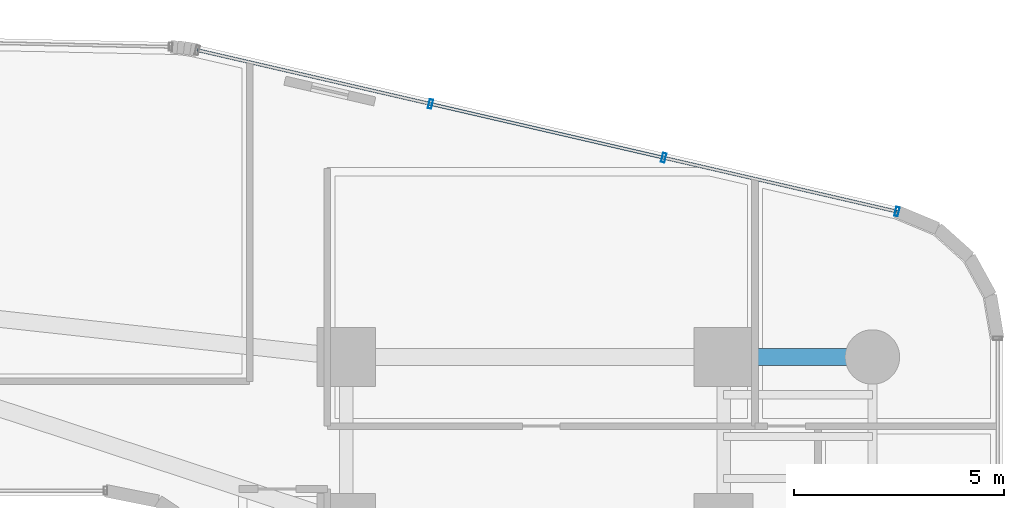
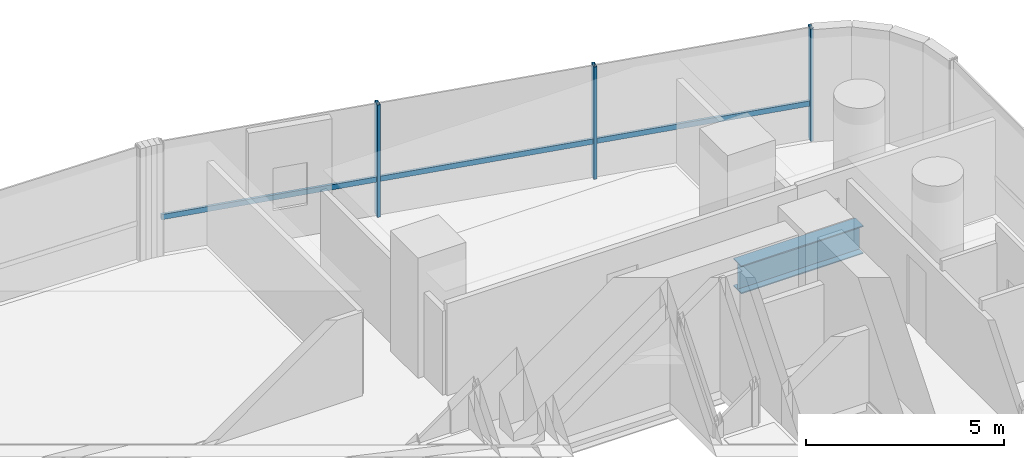
# One storey, part 23 of 39: 4 members, 1 beam, 1 element without a shape of its own.
"""IFC4 building model written with IfcOpenShell, lengths in metres."""

from ifc_helpers import new_model, si_unit, direction, frame, origin, origin_2d, place, context, subcontext, project, spatial, hollow_rectangle, i_section, extrude, source, transform, mapped, material, material_profile, profile_set, type_object, element, aggregate, save


model = new_model("IFC4")

# Units and contexts
model_context = context("Model", 3, precision=1e-05, world=origin(), true_north=direction((0.0, 1.0)))
body_context = subcontext(model_context, "Body", "Model", "MODEL_VIEW")
ifc_project = project(units=[si_unit("LENGTHUNIT", "METRE"), si_unit("AREAUNIT", "SQUARE_METRE"), si_unit("VOLUMEUNIT", "CUBIC_METRE"), si_unit("PLANEANGLEUNIT", "RADIAN"), si_unit("MASSUNIT", "GRAM", prefix="KILO")], contexts=[model_context])

# Site, building, storey
site_placement = place(None, origin())
site = spatial("IfcSite", under=ifc_project, at=site_placement, CompositionType="ELEMENT")
building_placement = place(site_placement, origin())
building = spatial("IfcBuilding", under=site, at=building_placement, Name="Valdorenza Pilgrim Sanctuary Tower", CompositionType="ELEMENT")
storey_placement = place(building_placement, frame((0.0, 0.0, 74.10009765625)))
storey = spatial("IfcBuildingStorey", under=building, at=storey_placement, Name="L18", CompositionType="ELEMENT", Elevation=74.10009765625)

# Beam
ifc_material_1 = material(Name="Steel ASTM A992 Grade 50", Category="steel")
ifc_material_profile_1 = material_profile(ifc_material_1, i_section(OverallWidth=0.39990234375, OverallDepth=0.862060546875, WebThickness=0.019775390625, FlangeThickness=0.032470703125, at=origin_2d()), Name="W33X221")
ifc_profile_set_1 = profile_set([ifc_material_profile_1], Name="Steel ASTM A992 Grade 50")
beam_type = type_object("IfcBeamType", Name="STR-BM-GRD-W33", PredefinedType="BEAM", material=ifc_profile_set_1)
shared_shape_1 = source(origin(), body_context, "Body", "SweptSolid", [
    extrude(i_section(OverallWidth=0.39990234375, OverallDepth=0.862060546875, WebThickness=0.019775390625, FlangeThickness=0.032470703125, at=origin_2d()), origin(), (0.0, 0.0, 1.0), 3.5498046875),
])
beam_placement = place(storey_placement, frame((24.85009765625, 13.5, -0.671142578125), z_axis=(1.0, 0.0, 0.0), x_axis=(0.0, 1.0, 0.0)))
element("IfcBeam", 1, at=beam_placement, inside=storey, type_object=beam_type, Name="L18 Floor Girder WB-XE-N2", PredefinedType="BEAM", context=body_context, shape_type="MappedRepresentation", body=[
    mapped(shared_shape_1, transform((0.0, 0.0, 0.0), x_axis=(1.0, 0.0, 0.0), y_axis=(0.0, 1.0, 0.0), z_axis=(0.0, 0.0, 1.0), scale=1.0)),
])

# Curtain wall, members
ifc_material_2 = material(Name="Curtain-wall IGU glazing", Category="glass")
curtain_wall_type = type_object("IfcCurtainWallType", Name="CW-SYS-03", PredefinedType="NOTDEFINED", material=ifc_material_2)
curtain_wall_placement = place(storey_placement, origin())
curtain_wall = element("IfcCurtainWall", 2, at=curtain_wall_placement, inside=storey, type_object=curtain_wall_type, Name="L18 Curtain Wall CW-L18-1-16", PredefinedType="NOTDEFINED")
ifc_material_3 = material(Name="Anodised aluminium AW-6060", Category="aluminium")
ifc_material_profile_2 = material_profile(ifc_material_3, hollow_rectangle(XDim=0.0849609375, YDim=0.219970703125, WallThickness=0.0048828125, at=origin_2d()), Name="ALU-M 220x85x5")
ifc_profile_set_2 = profile_set([ifc_material_profile_2], Name="Anodised aluminium AW-6060")
member_type_1 = type_object("IfcMemberType", Name="CW-MUL-03", PredefinedType="MULLION", material=ifc_profile_set_2)
shared_shape_2 = source(origin(), body_context, "Body", "SweptSolid", [
    extrude(hollow_rectangle(XDim=0.0849609375, YDim=0.219970703125, WallThickness=0.0048828125, at=origin_2d()), origin(), (0.0, 0.0, 1.0), 3.4599609375),
])
member_1_placement = place(storey_placement, frame((17.861328125, 19.534423828125, 0.0), z_axis=(0.0, 0.0, 1.0), x_axis=(0.974389691758, -0.224866023659, 0.0)))
member_1 = element("IfcMember", 3, at=member_1_placement, type_object=member_type_1, Name="CW-L18-1-16 Mullion 2", PredefinedType="MULLION", context=body_context, shape_type="MappedRepresentation", body=[
    mapped(shared_shape_2, transform((0.0, 0.0, 0.0), x_axis=(1.0, 0.0, 0.0), y_axis=(0.0, 1.0, 0.0), z_axis=(0.0, 0.0, 1.0), scale=1.0)),
])
member_2_placement = place(storey_placement, frame((23.423583984375, 18.2509765625, 0.0), z_axis=(0.0, 0.0, 1.0), x_axis=(0.974389691758, -0.224866023659, 0.0)))
member_2 = element("IfcMember", 4, at=member_2_placement, type_object=member_type_1, Name="CW-L18-1-16 Mullion 3", PredefinedType="MULLION", context=body_context, shape_type="MappedRepresentation", body=[
    mapped(shared_shape_2, transform((0.0, 0.0, 0.0), x_axis=(1.0, 0.0, 0.0), y_axis=(0.0, 1.0, 0.0), z_axis=(0.0, 0.0, 1.0), scale=1.0)),
])
member_3_placement = place(storey_placement, frame((28.98583984375, 16.96728515625, 0.0), z_axis=(0.0, 0.0, 1.0), x_axis=(0.974389691758, -0.224866023659, 0.0)))
member_3 = element("IfcMember", 5, at=member_3_placement, type_object=member_type_1, Name="CW-L18-1-16 Mullion 4", PredefinedType="MULLION", context=body_context, shape_type="MappedRepresentation", body=[
    mapped(shared_shape_2, transform((0.0, 0.0, 0.0), x_axis=(1.0, 0.0, 0.0), y_axis=(0.0, 1.0, 0.0), z_axis=(0.0, 0.0, 1.0), scale=1.0)),
])
ifc_material_profile_3 = material_profile(ifc_material_3, hollow_rectangle(XDim=0.074951171875, YDim=0.159912109375, WallThickness=0.00390625, at=origin_2d()), Name="ALU-T 160x75x4")
ifc_profile_set_3 = profile_set([ifc_material_profile_3], Name="Anodised aluminium AW-6060")
member_type_2 = type_object("IfcMemberType", Name="CW-TRN-03", PredefinedType="USERDEFINED", material=ifc_profile_set_3)
shared_shape_3 = source(origin(), body_context, "Body", "SweptSolid", [
    extrude(hollow_rectangle(XDim=0.074951171875, YDim=0.159912109375, WallThickness=0.00390625, at=origin_2d()), origin(), (0.0, 0.0, 1.0), 17.125244140625),
])
member_4_placement = place(storey_placement, frame((12.299072265625, 20.818115234375, 1.119873046875), z_axis=(0.974390715149, -0.224861589051, 0.0), x_axis=(0.224861589051, 0.974390715149, 0.0)))
member_4 = element("IfcMember", 6, at=member_4_placement, type_object=member_type_2, Name="CW-L18-1-16 Transom 1", ObjectType="TRANSOM", PredefinedType="USERDEFINED", context=body_context, shape_type="MappedRepresentation", body=[
    mapped(shared_shape_3, transform((0.0, 0.0, 0.0), x_axis=(1.0, 0.0, 0.0), y_axis=(0.0, 1.0, 0.0), z_axis=(0.0, 0.0, 1.0), scale=1.0)),
])
aggregate(curtain_wall, [member_1, member_2, member_3, member_4])

save(model, "model.ifc")
